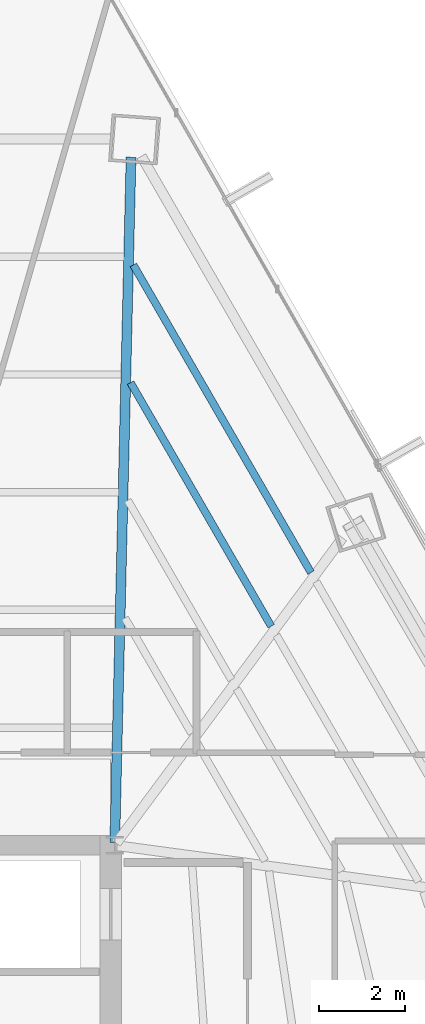
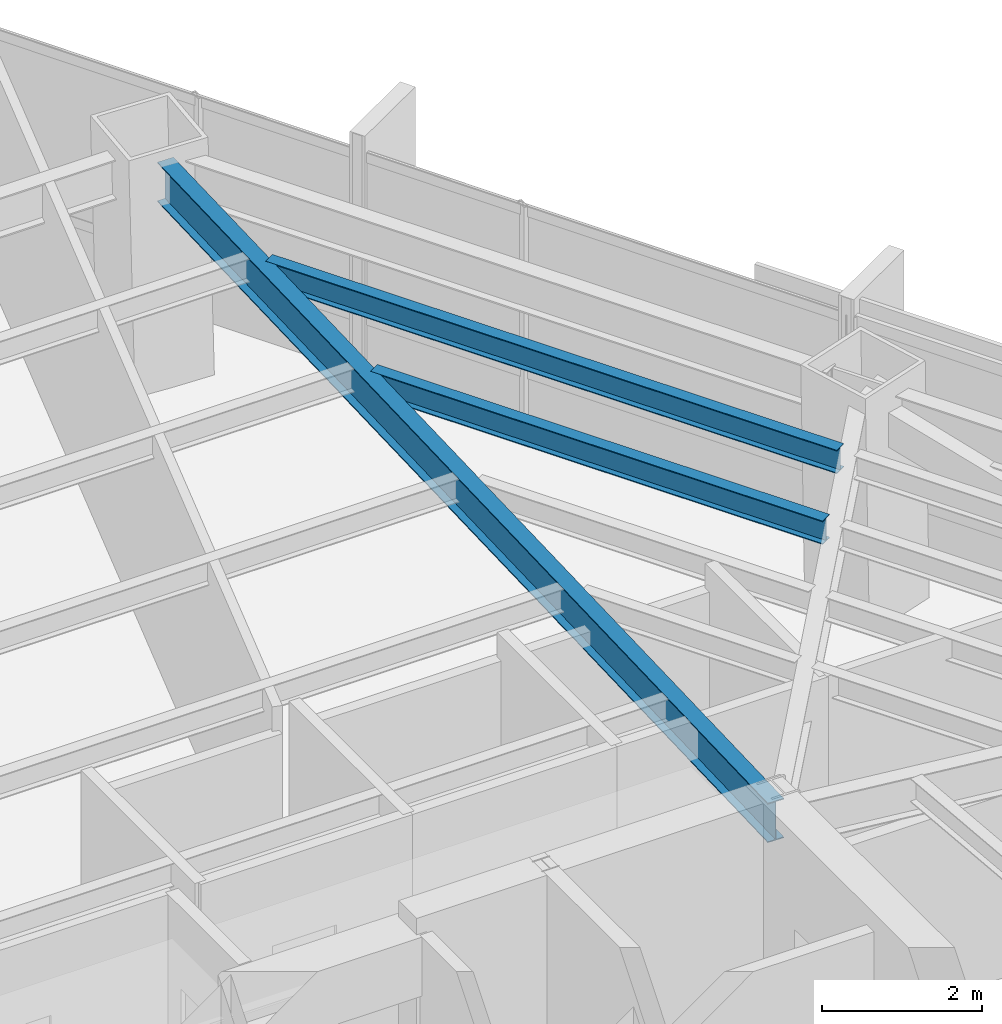
# One storey, part 28 of 36: 3 beams.
"""IFC4 building model written with IfcOpenShell, lengths in metres."""

from ifc_helpers import new_model, si_unit, direction, frame, origin, origin_2d, place, context, subcontext, project, spatial, i_section, extrude, source, transform, mapped, material, material_profile, profile_set, type_object, type_shapes, element, save


model = new_model("IFC4")

# Units and contexts
model_context = context("Model", 3, precision=1e-05, world=origin(), true_north=direction((0.0, 1.0)))
body_context = subcontext(model_context, "Body", "Model", "MODEL_VIEW")
ifc_project = project(units=[si_unit("LENGTHUNIT", "METRE"), si_unit("AREAUNIT", "SQUARE_METRE"), si_unit("VOLUMEUNIT", "CUBIC_METRE"), si_unit("PLANEANGLEUNIT", "RADIAN"), si_unit("MASSUNIT", "GRAM", prefix="KILO")], contexts=[model_context])

# Site, building, storey
site_placement = place(None, origin())
site = spatial("IfcSite", under=ifc_project, at=site_placement, CompositionType="ELEMENT")
building_placement = place(site_placement, origin())
building = spatial("IfcBuilding", under=site, at=building_placement, Name="Caelisora Broadcast Tower", CompositionType="ELEMENT")
storey_placement = place(building_placement, frame((0.0, 0.0, 83.5)))
storey = spatial("IfcBuildingStorey", under=building, at=storey_placement, Name="L21", CompositionType="ELEMENT", Elevation=83.5)

# Beams
ifc_material = material(Name="Steel Grade 350 (AS/NZS 3679.1)", Category="steel")
ifc_material_profile_1 = material_profile(ifc_material, i_section(OverallWidth=0.22802734375, OverallDepth=0.602294921875, WebThickness=0.010498046875, FlangeThickness=0.014892578125, at=origin_2d()), Name="Steel Grade 350 (AS/NZS 3679.1)")
ifc_profile_set_1 = profile_set([ifc_material_profile_1], Name="Steel Grade 350 (AS/NZS 3679.1)")
beam_type_1 = type_object("IfcBeamType", Name="PG04", PredefinedType="BEAM", material=ifc_profile_set_1)
shared_shape_1 = source(origin(), body_context, "Body", "SweptSolid", [
    extrude(i_section(OverallWidth=0.22802734375, OverallDepth=0.602294921875, WebThickness=0.010498046875, FlangeThickness=0.014892578125, at=origin_2d()), origin(), (0.0, 0.0, 1.0), 15.901123046875),
])
type_shapes(beam_type_1, [shared_shape_1])
beam_1_placement = place(storey_placement, frame((45.50146484375, 30.06005859375, 3.098876953125), z_axis=(0.023736648725, 0.999718246061, 0.0), x_axis=(-0.999718246061, 0.023736648725, 0.0)))
element("IfcBeam", 1, at=beam_1_placement, inside=storey, type_object=beam_type_1, Name="L21 beam PG04", PredefinedType="BEAM", context=body_context, shape_type="MappedRepresentation", body=[
    mapped(shared_shape_1, transform((0.0, 0.0, 0.0), scale=1.0)),
])
ifc_material_profile_2 = material_profile(ifc_material, i_section(OverallWidth=0.172119140625, OverallDepth=0.358642578125, WebThickness=0.008056640625, FlangeThickness=0.012939453125, at=origin_2d()), Name="Steel Grade 350 (AS/NZS 3679.1)")
ifc_profile_set_2 = profile_set([ifc_material_profile_2], Name="Steel Grade 350 (AS/NZS 3679.1)")
beam_type_2 = type_object("IfcBeamType", Name="SB02", PredefinedType="JOIST", material=ifc_profile_set_2)
shared_shape_2 = source(origin(), body_context, "Body", "SweptSolid", [
    extrude(i_section(OverallWidth=0.172119140625, OverallDepth=0.358642578125, WebThickness=0.008056640625, FlangeThickness=0.012939453125, at=origin_2d()), origin(), (0.0, 0.0, 1.0), 6.522216796875),
])
beam_2_placement = place(storey_placement, frame((49.12841796875, 35.082275390625, 3.220703125), z_axis=(-0.499983833969, 0.866034737045, 0.0), x_axis=(-0.866034737045, -0.499983833969, 0.0)))
element("IfcBeam", 2, at=beam_2_placement, inside=storey, type_object=beam_type_2, Name="L21 beam SB02", PredefinedType="JOIST", context=body_context, shape_type="MappedRepresentation", body=[
    mapped(shared_shape_2, transform((0.0, 0.0, 0.0), scale=1.0)),
])
shared_shape_3 = source(origin(), body_context, "Body", "SweptSolid", [
    extrude(i_section(OverallWidth=0.172119140625, OverallDepth=0.358642578125, WebThickness=0.008056640625, FlangeThickness=0.012939453125, at=origin_2d()), origin(), (0.0, 0.0, 1.0), 8.2373046875),
])
type_shapes(beam_type_2, [shared_shape_2, shared_shape_3])
beam_3_placement = place(storey_placement, frame((50.05078125, 36.326416015625, 3.220703125), z_axis=(-0.499996112969, 0.866027647951, 0.0), x_axis=(-0.866027647951, -0.499996112969, 0.0)))
element("IfcBeam", 3, at=beam_3_placement, inside=storey, type_object=beam_type_2, Name="L21 beam SB02", PredefinedType="JOIST", context=body_context, shape_type="MappedRepresentation", body=[
    mapped(shared_shape_3, transform((0.0, 0.0, 0.0), scale=1.0)),
])

save(model, "model.ifc")
